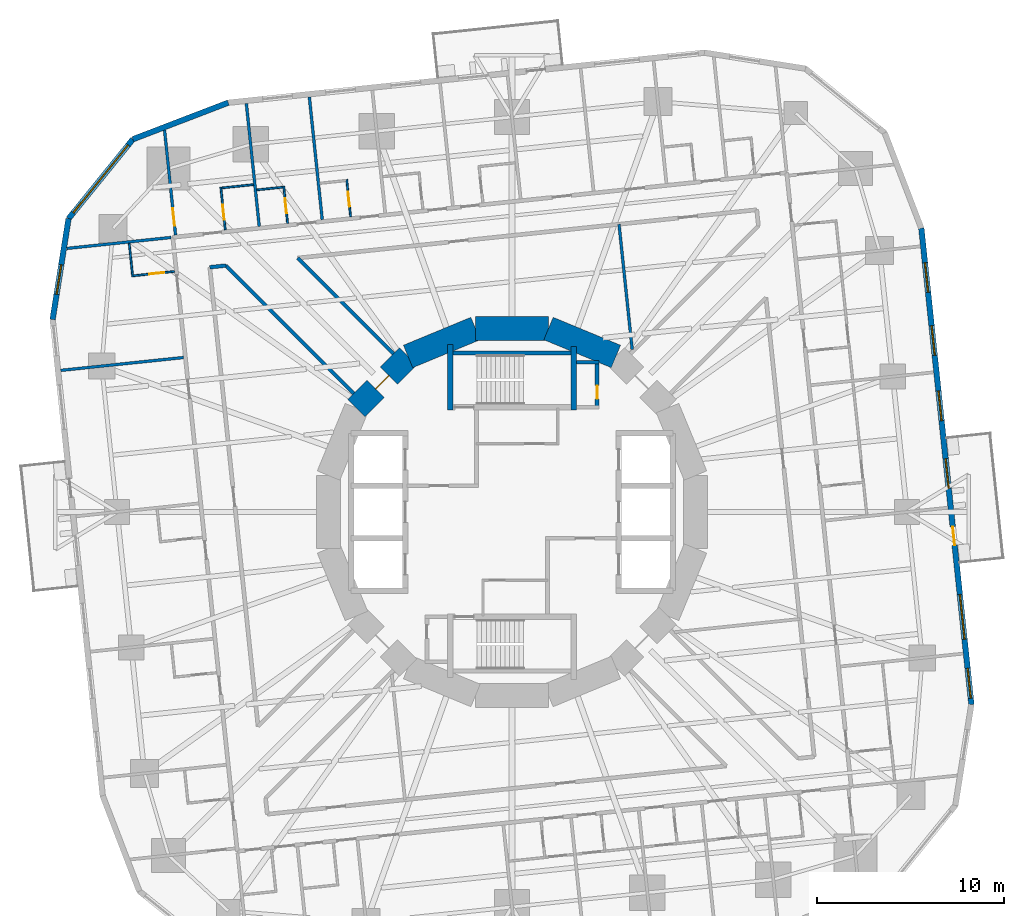
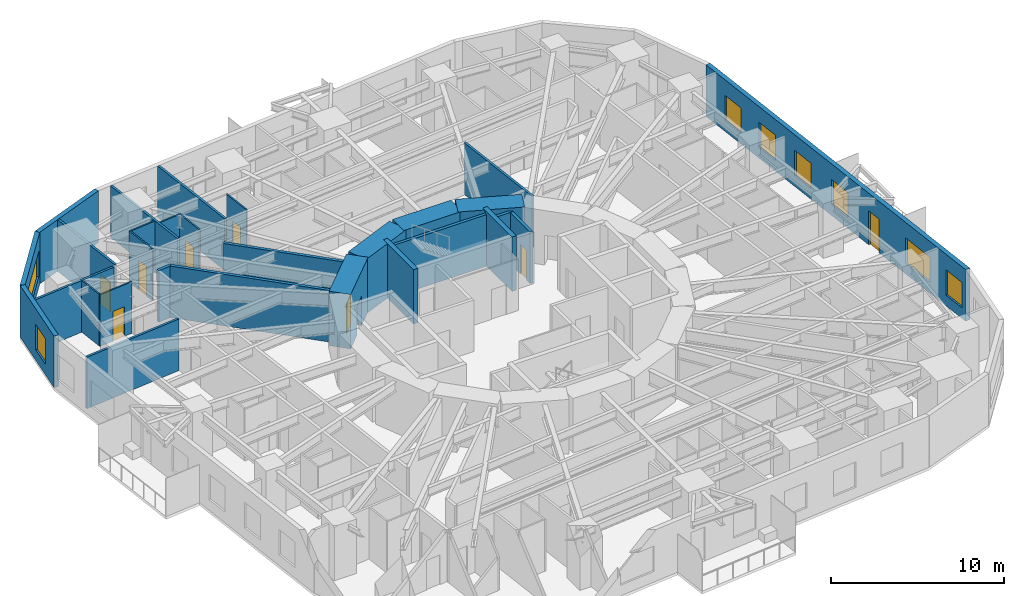
# One storey, part 9 of 13: 29 walls, 8 doors, 8 windows, 16 openings.
"""IFC4 building model written with IfcOpenShell, lengths in metres."""

from ifc_helpers import new_model, si_unit, direction, frame, frame_2d, origin, place, context, subcontext, project, spatial, rectangle, extrude, material, layer, layer_set, type_object, element, fill, save


model = new_model("IFC4")

# Units and contexts
model_context = context("Model", 3, precision=1e-05, world=origin(), true_north=direction((0.0, 1.0)))
body_context = subcontext(model_context, "Body", "Model", "MODEL_VIEW")
ifc_project = project(units=[si_unit("LENGTHUNIT", "METRE"), si_unit("AREAUNIT", "SQUARE_METRE"), si_unit("VOLUMEUNIT", "CUBIC_METRE"), si_unit("PLANEANGLEUNIT", "RADIAN"), si_unit("MASSUNIT", "GRAM", prefix="KILO")], contexts=[model_context])

# Site, building, storey
site_placement = place(None, origin())
site = spatial("IfcSite", under=ifc_project, at=site_placement, CompositionType="ELEMENT")
building_placement = place(site_placement, origin())
building = spatial("IfcBuilding", under=site, at=building_placement, Name="Nakasero Lantern House", CompositionType="ELEMENT")
storey_placement = place(building_placement, frame((0.0, 0.0, 79.75)))
storey = spatial("IfcBuildingStorey", under=building, at=storey_placement, Name="L19", CompositionType="ELEMENT", Elevation=79.75)

# Walls
ifc_material_1 = material(Name="Concrete C50/60", Category="concrete")
ifc_layer_1 = layer(ifc_material_1, 0.300048828125)
ifc_layer_set_1 = layer_set([ifc_layer_1], Name="Core inner wall 300")
wall_type_1 = type_object("IfcWallType", Name="Core inner wall 300", PredefinedType="SHEAR", material=ifc_layer_set_1)
wall_1_placement = place(storey_placement, frame((-3.300048828125, 5.449951171875, 0.0), z_axis=(0.0, 0.0, 1.0), x_axis=(0.0, 1.0, 0.0)))
element("IfcWall", 1, at=wall_1_placement, inside=storey, type_object=wall_type_1, Name="Core inner wall L19 SNW", PredefinedType="SHEAR", context=body_context, shape_type="SweptSolid", body=[
    extrude(rectangle(XDim=3.5, YDim=0.300048828125, at=frame_2d((1.75, 0.0))), origin(), (0.0, 0.0, 1.0), 3.85009765625),
])
wall_2_placement = place(storey_placement, frame((3.300048828125, 5.449951171875, 0.0), z_axis=(0.0, 0.0, 1.0), x_axis=(0.0, 1.0, 0.0)))
element("IfcWall", 2, at=wall_2_placement, inside=storey, type_object=wall_type_1, Name="Core inner wall L19 SNE", PredefinedType="SHEAR", context=body_context, shape_type="SweptSolid", body=[
    extrude(rectangle(XDim=3.400146484375, YDim=0.300048828125, at=frame_2d((1.7001953125, 0.0))), origin(), (0.0, 0.0, 1.0), 3.85009765625),
])
ifc_material_2 = material(Name="Concrete C50/60", Category="concrete")
ifc_layer_2 = layer(ifc_material_2, 1.300048828125)
ifc_layer_set_2 = layer_set([ifc_layer_2], Name="Core wall 1300")
wall_type_2 = type_object("IfcWallType", Name="Core wall 1300", PredefinedType="SHEAR", material=ifc_layer_set_2)
for number, where, z_axis, x_axis, name in (
    (3, (5.5556640625, 8.314697265625, 0.0), (0.0, 0.0, 1.0), (-0.923876507187, 0.382690736062, 0.0), "Core wall L19 facet 3"),
    (4, (1.950927734375, 9.807861328125, 0.0), (0.0, 0.0, 1.0), (-1.0, 0.0, 0.0), "Core wall L19 facet 4"),
    (5, (-1.950927734375, 9.807861328125, 0.0), (0.0, 0.0, 1.0), (-0.923876507187, -0.382690736062, 0.0), "Core wall L19 facet 5"),
):
    element("IfcWall", number, at=place(storey_placement, frame(where, z_axis=z_axis, x_axis=x_axis)), inside=storey, type_object=wall_type_2, Name=name, PredefinedType="SHEAR", context=body_context, shape_type="SweptSolid", body=[
        extrude(rectangle(XDim=3.90185546875, YDim=1.300048828125, at=frame_2d((1.950927734375, 0.0))), origin(), (0.0, 0.0, 1.0), 3.85009765625),
    ])

# Wall, opening, door
wall_3_placement = place(storey_placement, frame((-5.5556640625, 8.314697265625, 0.0), z_axis=(0.0, 0.0, 1.0), x_axis=(-0.707106781187, -0.707106781187, 0.0)))
wall_3 = element("IfcWall", 6, at=wall_3_placement, inside=storey, type_object=wall_type_2, Name="Core wall L19 facet 6", PredefinedType="SHEAR", context=body_context, shape_type="SweptSolid", body=[
    extrude(rectangle(XDim=3.90185546875, YDim=1.300048828125, at=frame_2d((1.950927734375, 0.0))), origin(), (0.0, 0.0, 1.0), 3.85009765625),
])
opening_1_placement = place(wall_3_placement, frame((1.450927734375, 0.0, 0.0)))
opening_1 = element("IfcOpeningElement", 7, at=opening_1_placement, cuts=wall_3, Name="Opening D05", PredefinedType="OPENING", context=body_context, shape_type="SweptSolid", body=[
    extrude(rectangle(XDim=1.0, YDim=2.10009765625, at=frame_2d((0.5, 1.050048828125))), frame((0.0, 0.669921875, 0.0), z_axis=(0.0, -1.0, 0.0), x_axis=(1.0, 0.0, 0.0)), (0.0, 0.0, 1.0), 1.340087890625),
])
ifc_material_3 = material(Name="Timber C24", Category="wood")
door_type_1 = type_object("IfcDoorType", Name="Core door FD60S 1000", OperationType="SINGLE_SWING_LEFT", PredefinedType="DOOR", material=ifc_material_3)
door_1_placement = place(opening_1_placement, origin())
door_1 = element("IfcDoor", 8, at=door_1_placement, inside=storey, type_object=door_type_1, Name="Door L19 D-CORE06", OperationType="SINGLE_SWING_LEFT", OverallHeight=2.10009765625, OverallWidth=1.0, PredefinedType="DOOR", context=body_context, shape_type="SweptSolid", body=[
    extrude(rectangle(XDim=1.0, YDim=2.10009765625, at=frame_2d((0.5, 1.050048828125))), frame((0.0, 0.02490234375, 0.0), z_axis=(0.0, -1.0, 0.0), x_axis=(1.0, 0.0, 0.0)), (0.0, 0.0, 1.0), 0.050048828125),
])
fill(opening_1, door_1)

# Walls
ifc_material_4 = material(Name="Blockwork", Category="masonry")
ifc_layer_3 = layer(ifc_material_4, 0.199951171875)
ifc_layer_set_3 = layer_set([ifc_layer_3], Name="Corridor wall 200")
wall_type_3 = type_object("IfcWallType", Name="Corridor wall 200", PredefinedType="PARTITIONING", material=ifc_layer_set_3)
wall_4_placement = place(storey_placement, frame((-8.45556640625, 6.334228515625, 0.0), z_axis=(0.0, 0.0, 1.0), x_axis=(-0.707106781187, 0.707106781187, 0.0)))
element("IfcWall", 9, at=wall_4_placement, inside=storey, type_object=wall_type_3, Name="Corridor wall L19 PS06a", PredefinedType="PARTITIONING", context=body_context, shape_type="SweptSolid", body=[
    extrude(rectangle(XDim=9.671875, YDim=0.199951171875, at=frame_2d((4.8359375, 0.0))), origin(), (0.0, 0.0, 1.0), 3.64990234375),
])
wall_5_placement = place(storey_placement, frame((-6.334228515625, 8.45556640625, 0.0), z_axis=(0.0, 0.0, 1.0), x_axis=(-0.707106781187, 0.707106781187, 0.0)))
element("IfcWall", 10, at=wall_5_placement, inside=storey, type_object=wall_type_3, Name="Corridor wall L19 PS06b", PredefinedType="PARTITIONING", context=body_context, shape_type="SweptSolid", body=[
    extrude(rectangle(XDim=7.24267578125, YDim=0.199951171875, at=frame_2d((3.621337890625, 0.0))), origin(), (0.0, 0.0, 1.0), 3.64990234375),
])
wall_6_placement = place(storey_placement, frame((-16.156005859375, 13.0830078125, 0.0), z_axis=(0.0, 0.0, 1.0), x_axis=(0.994545540927, 0.104303245505, 0.0)))
element("IfcWall", 11, at=wall_6_placement, inside=storey, type_object=wall_type_3, Name="Corridor wall L19 IW2-0R0", PredefinedType="PARTITIONING", context=body_context, shape_type="SweptSolid", body=[
    extrude(rectangle(XDim=0.865966796875, YDim=0.199951171875, at=frame_2d((0.43310546875, 0.0))), origin(), (0.0, 0.0, 1.0), 3.64990234375),
])

# Wall, opening, door
ifc_material_5 = material(Name="Blockwork", Category="masonry")
ifc_layer_4 = layer(ifc_material_5, 0.10009765625)
ifc_layer_set_4 = layer_set([ifc_layer_4], Name="En-suite wall 100")
wall_type_4 = type_object("IfcWallType", Name="En-suite wall 100", PredefinedType="PARTITIONING", material=ifc_layer_set_4)
wall_7_placement = place(storey_placement, frame((-8.627685546875, 15.78466796875, 0.0), z_axis=(0.0, 0.0, 1.0), x_axis=(-0.104614886044, 0.994512808172, 0.0)))
wall_7 = element("IfcWall", 12, at=wall_7_placement, inside=storey, type_object=wall_type_4, Name="En-suite wall L19 ES1-06", PredefinedType="PARTITIONING", context=body_context, shape_type="SweptSolid", body=[
    extrude(rectangle(XDim=2.0, YDim=0.10009765625, at=frame_2d((1.0, 0.0))), origin(), (0.0, 0.0, 1.0), 3.64990234375),
])
opening_2_placement = place(wall_7_placement, frame((0.550048828125, 0.0, 0.0)))
opening_2 = element("IfcOpeningElement", 13, at=opening_2_placement, cuts=wall_7, Name="Opening D02", PredefinedType="OPENING", context=body_context, shape_type="SweptSolid", body=[
    extrude(rectangle(XDim=0.800048828125, YDim=2.10009765625, at=frame_2d((0.39990234375, 1.050048828125))), frame((0.0, 0.070068359375, 0.0), z_axis=(0.0, -1.0, 0.0), x_axis=(1.0, 0.0, 0.0)), (0.0, 0.0, 1.0), 0.14013671875),
])
ifc_material_6 = material(Name="Timber C24", Category="wood")
door_type_2 = type_object("IfcDoorType", Name="En-suite door 800", OperationType="SINGLE_SWING_RIGHT", PredefinedType="DOOR", material=ifc_material_6)
door_2_placement = place(opening_2_placement, origin())
door_2 = element("IfcDoor", 14, at=door_2_placement, inside=storey, type_object=door_type_2, Name="Door L19 DE1-06", OperationType="SINGLE_SWING_LEFT", OverallHeight=2.10009765625, OverallWidth=0.800048828125, PredefinedType="DOOR", context=body_context, shape_type="SweptSolid", body=[
    extrude(rectangle(XDim=0.800048828125, YDim=2.10009765625, at=frame_2d((0.39990234375, 1.050048828125))), frame((0.0, 0.02490234375, 0.0), z_axis=(0.0, -1.0, 0.0), x_axis=(1.0, 0.0, 0.0)), (0.0, 0.0, 1.0), 0.050048828125),
])
fill(opening_2, door_2)

wall_8_placement = place(storey_placement, frame((-11.994873046875, 15.4306640625, 0.0), z_axis=(0.0, 0.0, 1.0), x_axis=(-0.104494148666, 0.99452550138, 0.0)))
wall_8 = element("IfcWall", 15, at=wall_8_placement, inside=storey, type_object=wall_type_4, Name="En-suite wall L19 ES1-07", PredefinedType="PARTITIONING", context=body_context, shape_type="SweptSolid", body=[
    extrude(rectangle(XDim=2.0, YDim=0.10009765625, at=frame_2d((1.0, 0.0))), origin(), (0.0, 0.0, 1.0), 3.64990234375),
])
opening_3_placement = place(wall_8_placement, frame((0.550048828125, 0.0, 0.0)))
opening_3 = element("IfcOpeningElement", 16, at=opening_3_placement, cuts=wall_8, Name="Opening D02", PredefinedType="OPENING", context=body_context, shape_type="SweptSolid", body=[
    extrude(rectangle(XDim=0.800048828125, YDim=2.10009765625, at=frame_2d((0.39990234375, 1.050048828125))), frame((0.0, 0.070068359375, 0.0), z_axis=(0.0, -1.0, 0.0), x_axis=(1.0, 0.0, 0.0)), (0.0, 0.0, 1.0), 0.14013671875),
])
door_3_placement = place(opening_3_placement, origin())
door_3 = element("IfcDoor", 17, at=door_3_placement, inside=storey, type_object=door_type_2, Name="Door L19 DE1-07", OperationType="SINGLE_SWING_LEFT", OverallHeight=2.10009765625, OverallWidth=0.800048828125, PredefinedType="DOOR", context=body_context, shape_type="SweptSolid", body=[
    extrude(rectangle(XDim=0.800048828125, YDim=2.10009765625, at=frame_2d((0.39990234375, 1.050048828125))), frame((0.0, 0.02490234375, 0.0), z_axis=(0.0, -1.0, 0.0), x_axis=(1.0, 0.0, 0.0)), (0.0, 0.0, 1.0), 0.050048828125),
])
fill(opening_3, door_3)

# Wall
wall_9_placement = place(storey_placement, frame((-12.248291015625, 17.36474609375, 0.0), z_axis=(0.0, 0.0, 1.0), x_axis=(-0.994529315664, -0.104457839748, 0.0)))
element("IfcWall", 18, at=wall_9_placement, inside=storey, type_object=wall_type_4, Name="En-suite wall L19 EE1-07", PredefinedType="PARTITIONING", context=body_context, shape_type="SweptSolid", body=[
    extrude(rectangle(XDim=1.39990234375, YDim=0.10009765625, at=frame_2d((0.699951171875, 0.0))), origin(), (0.0, 0.0, 1.0), 3.64990234375),
])

# Wall, opening, door
wall_10_placement = place(storey_placement, frame((-15.326416015625, 15.08056640625, 0.0), z_axis=(0.0, 0.0, 1.0), x_axis=(-0.104557694553, 0.994518822602, 0.0)))
wall_10 = element("IfcWall", 19, at=wall_10_placement, inside=storey, type_object=wall_type_4, Name="En-suite wall L19 ES1-08", PredefinedType="PARTITIONING", context=body_context, shape_type="SweptSolid", body=[
    extrude(rectangle(XDim=2.300048828125, YDim=0.10009765625, at=frame_2d((1.14990234375, 0.0))), origin(), (0.0, 0.0, 1.0), 3.64990234375),
])
opening_4_placement = place(wall_10_placement, frame((0.550048828125, 0.0, 0.0)))
opening_4 = element("IfcOpeningElement", 20, at=opening_4_placement, cuts=wall_10, Name="Opening D02", PredefinedType="OPENING", context=body_context, shape_type="SweptSolid", body=[
    extrude(rectangle(XDim=0.800048828125, YDim=2.10009765625, at=frame_2d((0.39990234375, 1.050048828125))), frame((0.0, 0.070068359375, 0.0), z_axis=(0.0, -1.0, 0.0), x_axis=(1.0, 0.0, 0.0)), (0.0, 0.0, 1.0), 0.14013671875),
])
door_4_placement = place(opening_4_placement, origin())
door_4 = element("IfcDoor", 21, at=door_4_placement, inside=storey, type_object=door_type_2, Name="Door L19 DE1-08", OperationType="SINGLE_SWING_LEFT", OverallHeight=2.10009765625, OverallWidth=0.800048828125, PredefinedType="DOOR", context=body_context, shape_type="SweptSolid", body=[
    extrude(rectangle(XDim=0.800048828125, YDim=2.10009765625, at=frame_2d((0.39990234375, 1.050048828125))), frame((0.0, 0.02490234375, 0.0), z_axis=(0.0, -1.0, 0.0), x_axis=(1.0, 0.0, 0.0)), (0.0, 0.0, 1.0), 0.050048828125),
])
fill(opening_4, door_4)

# Wall
wall_11_placement = place(storey_placement, frame((-13.8212890625, 17.501220703125, 0.0), z_axis=(0.0, 0.0, 1.0), x_axis=(-0.994519608382, -0.104550220202, 0.0)))
element("IfcWall", 22, at=wall_11_placement, inside=storey, type_object=wall_type_4, Name="En-suite wall L19 EE1-08", PredefinedType="PARTITIONING", context=body_context, shape_type="SweptSolid", body=[
    extrude(rectangle(XDim=1.699951171875, YDim=0.10009765625, at=frame_2d((0.85009765625, 0.0))), origin(), (0.0, 0.0, 1.0), 3.64990234375),
])

# Wall, opening, door
wall_12_placement = place(storey_placement, frame((-18.04296875, 12.859375, 0.0), z_axis=(0.0, 0.0, 1.0), x_axis=(-0.994529855142, -0.104452703326, 0.0)))
wall_12 = element("IfcWall", 23, at=wall_12_placement, inside=storey, type_object=wall_type_4, Name="En-suite wall L19 ES2-00", PredefinedType="PARTITIONING", context=body_context, shape_type="SweptSolid", body=[
    extrude(rectangle(XDim=2.300048828125, YDim=0.10009765625, at=frame_2d((1.14990234375, 0.0))), origin(), (0.0, 0.0, 1.0), 3.64990234375),
])
opening_5_placement = place(wall_12_placement, frame((0.550048828125, 0.0, 0.0)))
opening_5 = element("IfcOpeningElement", 24, at=opening_5_placement, cuts=wall_12, Name="Opening D02", PredefinedType="OPENING", context=body_context, shape_type="SweptSolid", body=[
    extrude(rectangle(XDim=0.800048828125, YDim=2.10009765625, at=frame_2d((0.39990234375, 1.050048828125))), frame((0.0, 0.070068359375, 0.0), z_axis=(0.0, -1.0, 0.0), x_axis=(1.0, 0.0, 0.0)), (0.0, 0.0, 1.0), 0.14013671875),
])
door_5_placement = place(opening_5_placement, origin())
door_5 = element("IfcDoor", 25, at=door_5_placement, inside=storey, type_object=door_type_2, Name="Door L19 DE2-00", OperationType="SINGLE_SWING_LEFT", OverallHeight=2.10009765625, OverallWidth=0.800048828125, PredefinedType="DOOR", context=body_context, shape_type="SweptSolid", body=[
    extrude(rectangle(XDim=0.800048828125, YDim=2.10009765625, at=frame_2d((0.39990234375, 1.050048828125))), frame((0.0, 0.02490234375, 0.0), z_axis=(0.0, -1.0, 0.0), x_axis=(1.0, 0.0, 0.0)), (0.0, 0.0, 1.0), 0.050048828125),
])
fill(opening_5, door_5)

# Wall
wall_13_placement = place(storey_placement, frame((-20.463623046875, 14.36474609375, 0.0), z_axis=(0.0, 0.0, 1.0), x_axis=(0.104550220202, -0.994519608382, 0.0)))
element("IfcWall", 26, at=wall_13_placement, inside=storey, type_object=wall_type_4, Name="En-suite wall L19 EE2-00", PredefinedType="PARTITIONING", context=body_context, shape_type="SweptSolid", body=[
    extrude(rectangle(XDim=1.699951171875, YDim=0.10009765625, at=frame_2d((0.85009765625, 0.0))), origin(), (0.0, 0.0, 1.0), 3.64990234375),
])

# Wall, openings, door, windows
ifc_material_7 = material(Name="Aluminium rainscreen on blockwork", Category="masonry")
ifc_layer_5 = layer(ifc_material_7, 0.300048828125)
ifc_layer_set_5 = layer_set([ifc_layer_5], Name="Facade wall 300")
wall_type_5 = type_object("IfcWallType", Name="Facade wall 300", PredefinedType="SOLIDWALL", material=ifc_layer_set_5)
wall_14_placement = place(storey_placement, frame((24.56005859375, -10.2890625, 0.0), z_axis=(0.0, 0.0, 1.0), x_axis=(-0.104532378096, 0.994521483895, 0.0)))
wall_14 = element("IfcWall", 27, at=wall_14_placement, inside=storey, type_object=wall_type_5, Name="Facade wall L19 FW0S", PredefinedType="SOLIDWALL", context=body_context, shape_type="SweptSolid", body=[
    extrude(rectangle(XDim=25.599853515625, YDim=0.300048828125, at=frame_2d((12.7998046875, 0.0))), origin(), (0.0, 0.0, 1.0), 3.64990234375),
])
opening_6_placement = place(wall_14_placement, frame((0.337890625, 0.0, 0.75)))
opening_6 = element("IfcOpeningElement", 28, at=opening_6_placement, cuts=wall_14, Name="Opening W01", PredefinedType="OPENING", context=body_context, shape_type="SweptSolid", body=[
    extrude(rectangle(XDim=1.60009765625, YDim=1.800048828125, at=frame_2d((0.800048828125, 0.89990234375))), frame((0.0, 0.169921875, 0.0), z_axis=(0.0, -1.0, 0.0), x_axis=(1.0, 0.0, 0.0)), (0.0, 0.0, 1.0), 0.340087890625),
])
opening_7_placement = place(wall_14_placement, frame((11.612060546875, 0.0, 0.75)))
opening_7 = element("IfcOpeningElement", 29, at=opening_7_placement, cuts=wall_14, Name="Opening W01", PredefinedType="OPENING", context=body_context, shape_type="SweptSolid", body=[
    extrude(rectangle(XDim=1.60009765625, YDim=1.800048828125, at=frame_2d((0.800048828125, 0.89990234375))), frame((0.0, 0.169921875, 0.0), z_axis=(0.0, -1.0, 0.0), x_axis=(1.0, 0.0, 0.0)), (0.0, 0.0, 1.0), 0.340087890625),
])
opening_8_placement = place(wall_14_placement, frame((15.250732421875, 0.0, 0.75)))
opening_8 = element("IfcOpeningElement", 30, at=opening_8_placement, cuts=wall_14, Name="Opening W01", PredefinedType="OPENING", context=body_context, shape_type="SweptSolid", body=[
    extrude(rectangle(XDim=1.60009765625, YDim=1.800048828125, at=frame_2d((0.800048828125, 0.89990234375))), frame((0.0, 0.169921875, 0.0), z_axis=(0.0, -1.0, 0.0), x_axis=(1.0, 0.0, 0.0)), (0.0, 0.0, 1.0), 0.340087890625),
])
opening_9_placement = place(wall_14_placement, frame((18.7626953125, 0.0, 0.75)))
opening_9 = element("IfcOpeningElement", 31, at=opening_9_placement, cuts=wall_14, Name="Opening W01", PredefinedType="OPENING", context=body_context, shape_type="SweptSolid", body=[
    extrude(rectangle(XDim=1.60009765625, YDim=1.800048828125, at=frame_2d((0.800048828125, 0.89990234375))), frame((0.0, 0.169921875, 0.0), z_axis=(0.0, -1.0, 0.0), x_axis=(1.0, 0.0, 0.0)), (0.0, 0.0, 1.0), 0.340087890625),
])
opening_10_placement = place(wall_14_placement, frame((22.1484375, 0.0, 0.75)))
opening_10 = element("IfcOpeningElement", 32, at=opening_10_placement, cuts=wall_14, Name="Opening W01", PredefinedType="OPENING", context=body_context, shape_type="SweptSolid", body=[
    extrude(rectangle(XDim=1.60009765625, YDim=1.800048828125, at=frame_2d((0.800048828125, 0.89990234375))), frame((0.0, 0.169921875, 0.0), z_axis=(0.0, -1.0, 0.0), x_axis=(1.0, 0.0, 0.0)), (0.0, 0.0, 1.0), 0.340087890625),
])
opening_11_placement = place(wall_14_placement, frame((3.51123046875, 0.0, 0.75)))
opening_11 = element("IfcOpeningElement", 33, at=opening_11_placement, cuts=wall_14, Name="Opening W03", PredefinedType="OPENING", context=body_context, shape_type="SweptSolid", body=[
    extrude(rectangle(XDim=2.39990234375, YDim=1.800048828125, at=frame_2d((1.199951171875, 0.89990234375))), frame((0.0, 0.169921875, 0.0), z_axis=(0.0, -1.0, 0.0), x_axis=(1.0, 0.0, 0.0)), (0.0, 0.0, 1.0), 0.340087890625),
])
opening_12_placement = place(wall_14_placement, frame((8.558837890625, 0.0, 0.0)))
opening_12 = element("IfcOpeningElement", 34, at=opening_12_placement, cuts=wall_14, Name="Opening D04", PredefinedType="OPENING", context=body_context, shape_type="SweptSolid", body=[
    extrude(rectangle(XDim=1.0, YDim=2.39990234375, at=frame_2d((0.5, 1.199951171875))), frame((0.0, 0.169921875, 0.0), z_axis=(0.0, -1.0, 0.0), x_axis=(1.0, 0.0, 0.0)), (0.0, 0.0, 1.0), 0.340087890625),
])
ifc_material_8 = material(Name="Aluminium 6063-T6 and glass", Category="aluminium")
door_type_3 = type_object("IfcDoorType", Name="Balcony door 1000x2400", OperationType="SINGLE_SWING_RIGHT", PredefinedType="DOOR", material=ifc_material_8)
door_6_placement = place(opening_12_placement, origin())
door_6 = element("IfcDoor", 35, at=door_6_placement, inside=storey, type_object=door_type_3, Name="Balcony door L19 DB0", OperationType="SINGLE_SWING_RIGHT", OverallHeight=2.39990234375, OverallWidth=1.0, PredefinedType="DOOR", context=body_context, shape_type="SweptSolid", body=[
    extrude(rectangle(XDim=1.0, YDim=2.39990234375, at=frame_2d((0.5, 1.199951171875))), frame((0.0, 0.02490234375, 0.0), z_axis=(0.0, -1.0, 0.0), x_axis=(1.0, 0.0, 0.0)), (0.0, 0.0, 1.0), 0.050048828125),
])
fill(opening_12, door_6)
ifc_material_9 = material(Name="Aluminium 6063-T6 and glass", Category="aluminium")
window_type_1 = type_object("IfcWindowType", Name="Bedroom window 1600x1800", PartitioningType="SINGLE_PANEL", PredefinedType="WINDOW", material=ifc_material_9)
window_1_placement = place(opening_6_placement, origin())
window_1 = element("IfcWindow", 36, at=window_1_placement, inside=storey, type_object=window_type_1, Name="Window L19 WN0-01", OverallHeight=1.800048828125, OverallWidth=1.60009765625, PartitioningType="SINGLE_PANEL", PredefinedType="WINDOW", context=body_context, shape_type="SweptSolid", body=[
    extrude(rectangle(XDim=1.60009765625, YDim=1.800048828125, at=frame_2d((0.800048828125, 0.89990234375))), frame((0.0, 0.030029296875, 0.0), z_axis=(0.0, -1.0, 0.0), x_axis=(1.0, 0.0, 0.0)), (0.0, 0.0, 1.0), 0.06005859375),
])
fill(opening_6, window_1)
window_2_placement = place(opening_7_placement, origin())
window_2 = element("IfcWindow", 37, at=window_2_placement, inside=storey, type_object=window_type_1, Name="Window L19 WN0-04", OverallHeight=1.800048828125, OverallWidth=1.60009765625, PartitioningType="SINGLE_PANEL", PredefinedType="WINDOW", context=body_context, shape_type="SweptSolid", body=[
    extrude(rectangle(XDim=1.60009765625, YDim=1.800048828125, at=frame_2d((0.800048828125, 0.89990234375))), frame((0.0, 0.030029296875, 0.0), z_axis=(0.0, -1.0, 0.0), x_axis=(1.0, 0.0, 0.0)), (0.0, 0.0, 1.0), 0.06005859375),
])
fill(opening_7, window_2)
window_3_placement = place(opening_8_placement, origin())
window_3 = element("IfcWindow", 38, at=window_3_placement, inside=storey, type_object=window_type_1, Name="Window L19 WN0-05", OverallHeight=1.800048828125, OverallWidth=1.60009765625, PartitioningType="SINGLE_PANEL", PredefinedType="WINDOW", context=body_context, shape_type="SweptSolid", body=[
    extrude(rectangle(XDim=1.60009765625, YDim=1.800048828125, at=frame_2d((0.800048828125, 0.89990234375))), frame((0.0, 0.030029296875, 0.0), z_axis=(0.0, -1.0, 0.0), x_axis=(1.0, 0.0, 0.0)), (0.0, 0.0, 1.0), 0.06005859375),
])
fill(opening_8, window_3)
window_4_placement = place(opening_9_placement, origin())
window_4 = element("IfcWindow", 39, at=window_4_placement, inside=storey, type_object=window_type_1, Name="Window L19 WN0-06", OverallHeight=1.800048828125, OverallWidth=1.60009765625, PartitioningType="SINGLE_PANEL", PredefinedType="WINDOW", context=body_context, shape_type="SweptSolid", body=[
    extrude(rectangle(XDim=1.60009765625, YDim=1.800048828125, at=frame_2d((0.800048828125, 0.89990234375))), frame((0.0, 0.030029296875, 0.0), z_axis=(0.0, -1.0, 0.0), x_axis=(1.0, 0.0, 0.0)), (0.0, 0.0, 1.0), 0.06005859375),
])
fill(opening_9, window_4)
window_5_placement = place(opening_10_placement, origin())
window_5 = element("IfcWindow", 40, at=window_5_placement, inside=storey, type_object=window_type_1, Name="Window L19 WN0-07", OverallHeight=1.800048828125, OverallWidth=1.60009765625, PartitioningType="SINGLE_PANEL", PredefinedType="WINDOW", context=body_context, shape_type="SweptSolid", body=[
    extrude(rectangle(XDim=1.60009765625, YDim=1.800048828125, at=frame_2d((0.800048828125, 0.89990234375))), frame((0.0, 0.030029296875, 0.0), z_axis=(0.0, -1.0, 0.0), x_axis=(1.0, 0.0, 0.0)), (0.0, 0.0, 1.0), 0.06005859375),
])
fill(opening_10, window_5)
ifc_material_10 = material(Name="Aluminium 6063-T6 and glass", Category="aluminium")
window_type_2 = type_object("IfcWindowType", Name="Lounge window 2400x1800", PartitioningType="SINGLE_PANEL", PredefinedType="WINDOW", material=ifc_material_10)
window_6_placement = place(opening_11_placement, origin())
window_6 = element("IfcWindow", 41, at=window_6_placement, inside=storey, type_object=window_type_2, Name="Window L19 WK0", OverallHeight=1.800048828125, OverallWidth=2.39990234375, PartitioningType="SINGLE_PANEL", PredefinedType="WINDOW", context=body_context, shape_type="SweptSolid", body=[
    extrude(rectangle(XDim=2.39990234375, YDim=1.800048828125, at=frame_2d((1.199951171875, 0.89990234375))), frame((0.0, 0.030029296875, 0.0), z_axis=(0.0, -1.0, 0.0), x_axis=(1.0, 0.0, 0.0)), (0.0, 0.0, 1.0), 0.06005859375),
])
fill(opening_11, window_6)

# Wall
wall_15_placement = place(storey_placement, frame((-15.170654296875, 21.884033203125, 0.0), z_axis=(0.0, 0.0, 1.0), x_axis=(-0.933583906079, -0.358358884793, 0.0)))
element("IfcWall", 42, at=wall_15_placement, inside=storey, type_object=wall_type_5, Name="Facade wall L19 FW1C1", PredefinedType="SOLIDWALL", context=body_context, shape_type="SweptSolid", body=[
    extrude(rectangle(XDim=5.461181640625, YDim=0.300048828125, at=frame_2d((2.73046875, 0.0))), origin(), (0.0, 0.0, 1.0), 3.64990234375),
])

# Wall, opening, window
wall_16_placement = place(storey_placement, frame((-20.26904296875, 19.927001953125, 0.0), z_axis=(0.0, 0.0, 1.0), x_axis=(-0.629334543442, -0.777134500863, 0.0)))
wall_16 = element("IfcWall", 43, at=wall_16_placement, inside=storey, type_object=wall_type_5, Name="Facade wall L19 FW1C2", PredefinedType="SOLIDWALL", context=body_context, shape_type="SweptSolid", body=[
    extrude(rectangle(XDim=5.4609375, YDim=0.300048828125, at=frame_2d((2.73046875, 0.0))), origin(), (0.0, 0.0, 1.0), 3.64990234375),
])
opening_13_placement = place(wall_16_placement, frame((0.39990234375, 0.0, 0.75)))
opening_13 = element("IfcOpeningElement", 44, at=opening_13_placement, cuts=wall_16, Name="Opening W246", PredefinedType="OPENING", context=body_context, shape_type="SweptSolid", body=[
    extrude(rectangle(XDim=4.660888671875, YDim=1.800048828125, at=frame_2d((2.33056640625, 0.89990234375))), frame((0.0, 0.169921875, 0.0), z_axis=(0.0, -1.0, 0.0), x_axis=(1.0, 0.0, 0.0)), (0.0, 0.0, 1.0), 0.340087890625),
])
ifc_material_11 = material(Name="Aluminium 6063-T6 and glass", Category="aluminium")
window_type_3 = type_object("IfcWindowType", Name="Corner window 4661x1800", PartitioningType="SINGLE_PANEL", PredefinedType="WINDOW", material=ifc_material_11)
window_7_placement = place(opening_13_placement, origin())
window_7 = element("IfcWindow", 45, at=window_7_placement, inside=storey, type_object=window_type_3, Name="Window L19 WC1", OverallHeight=1.800048828125, OverallWidth=4.660888671875, PartitioningType="SINGLE_PANEL", PredefinedType="WINDOW", context=body_context, shape_type="SweptSolid", body=[
    extrude(rectangle(XDim=4.660888671875, YDim=1.800048828125, at=frame_2d((2.33056640625, 0.89990234375))), frame((0.0, 0.030029296875, 0.0), z_axis=(0.0, -1.0, 0.0), x_axis=(1.0, 0.0, 0.0)), (0.0, 0.0, 1.0), 0.06005859375),
])
fill(opening_13, window_7)

wall_17_placement = place(storey_placement, frame((-23.705810546875, 15.68310546875, 0.0), z_axis=(0.0, 0.0, 1.0), x_axis=(-0.156419383601, -0.987690729142, 0.0)))
wall_17 = element("IfcWall", 46, at=wall_17_placement, inside=storey, type_object=wall_type_5, Name="Facade wall L19 FW1C3", PredefinedType="SOLIDWALL", context=body_context, shape_type="SweptSolid", body=[
    extrude(rectangle(XDim=5.461181640625, YDim=0.300048828125, at=frame_2d((2.73046875, 0.0))), origin(), (0.0, 0.0, 1.0), 3.64990234375),
])
opening_14_placement = place(wall_17_placement, frame((2.5, 0.0, 0.75)))
opening_14 = element("IfcOpeningElement", 47, at=opening_14_placement, cuts=wall_17, Name="Opening W01", PredefinedType="OPENING", context=body_context, shape_type="SweptSolid", body=[
    extrude(rectangle(XDim=1.60009765625, YDim=1.800048828125, at=frame_2d((0.800048828125, 0.89990234375))), frame((0.0, 0.169921875, 0.0), z_axis=(0.0, -1.0, 0.0), x_axis=(1.0, 0.0, 0.0)), (0.0, 0.0, 1.0), 0.340087890625),
])
window_8_placement = place(opening_14_placement, origin())
window_8 = element("IfcWindow", 48, at=window_8_placement, inside=storey, type_object=window_type_1, Name="Window L19 WN2-00", OverallHeight=1.800048828125, OverallWidth=1.60009765625, PartitioningType="SINGLE_PANEL", PredefinedType="WINDOW", context=body_context, shape_type="SweptSolid", body=[
    extrude(rectangle(XDim=1.60009765625, YDim=1.800048828125, at=frame_2d((0.800048828125, 0.89990234375))), frame((0.0, 0.030029296875, 0.0), z_axis=(0.0, -1.0, 0.0), x_axis=(1.0, 0.0, 0.0)), (0.0, 0.0, 1.0), 0.06005859375),
])
fill(opening_14, window_8)

# Wall, opening, door
ifc_material_12 = material(Name="Blockwork", Category="masonry")
ifc_layer_6 = layer(ifc_material_12, 0.199951171875)
ifc_layer_set_6 = layer_set([ifc_layer_6], Name="Fire lobby wall 200")
wall_type_6 = type_object("IfcWallType", Name="Fire lobby wall 200", PredefinedType="PARTITIONING", material=ifc_layer_set_6)
wall_18_placement = place(storey_placement, frame((4.550048828125, 5.60009765625, 0.0), z_axis=(0.0, 0.0, 1.0), x_axis=(0.0, 1.0, 0.0)))
wall_18 = element("IfcWall", 49, at=wall_18_placement, inside=storey, type_object=wall_type_6, Name="Fire lobby wall L19 W-RS1E", PredefinedType="PARTITIONING", context=body_context, shape_type="SweptSolid", body=[
    extrude(rectangle(XDim=2.39990234375, YDim=0.199951171875, at=frame_2d((1.199951171875, 0.0))), origin(), (0.0, 0.0, 1.0), 3.64990234375),
])
opening_15_placement = place(wall_18_placement, frame((0.449951171875, 0.0, 0.0)))
opening_15 = element("IfcOpeningElement", 50, at=opening_15_placement, cuts=wall_18, Name="Opening D06", PredefinedType="OPENING", context=body_context, shape_type="SweptSolid", body=[
    extrude(rectangle(XDim=0.699951171875, YDim=2.10009765625, at=frame_2d((0.35009765625, 1.050048828125))), frame((0.0, 0.119873046875, 0.0), z_axis=(0.0, -1.0, 0.0), x_axis=(1.0, 0.0, 0.0)), (0.0, 0.0, 1.0), 0.239990234375),
])
ifc_material_13 = material(Name="Steel S355", Category="steel")
door_type_4 = type_object("IfcDoorType", Name="Riser door FD60 700", OperationType="SINGLE_SWING_LEFT", PredefinedType="DOOR", material=ifc_material_13)
door_7_placement = place(opening_15_placement, origin())
door_7 = element("IfcDoor", 51, at=door_7_placement, inside=storey, type_object=door_type_4, Name="Door L19 D-RS1", OperationType="SINGLE_SWING_LEFT", OverallHeight=2.10009765625, OverallWidth=0.699951171875, PredefinedType="DOOR", context=body_context, shape_type="SweptSolid", body=[
    extrude(rectangle(XDim=0.699951171875, YDim=2.10009765625, at=frame_2d((0.35009765625, 1.050048828125))), frame((0.0, 0.02490234375, 0.0), z_axis=(0.0, -1.0, 0.0), x_axis=(1.0, 0.0, 0.0)), (0.0, 0.0, 1.0), 0.050048828125),
])
fill(opening_15, door_7)

# Walls
wall_19_placement = place(storey_placement, frame((3.449951171875, 8.0, 0.0), z_axis=(0.0, 0.0, 1.0), x_axis=(1.0, 0.0, 0.0)))
element("IfcWall", 52, at=wall_19_placement, inside=storey, type_object=wall_type_6, Name="Fire lobby wall L19 W-RS1N", PredefinedType="PARTITIONING", context=body_context, shape_type="SweptSolid", body=[
    extrude(rectangle(XDim=1.199951171875, YDim=0.199951171875, at=frame_2d((0.60009765625, 0.0))), origin(), (0.0, 0.0, 1.0), 3.64990234375),
])
wall_20_placement = place(storey_placement, frame((-3.300048828125, 8.5, 0.0), z_axis=(0.0, 0.0, 1.0), x_axis=(1.0, 0.0, 0.0)))
element("IfcWall", 53, at=wall_20_placement, inside=storey, type_object=wall_type_6, Name="Fire lobby wall L19 W-STN", PredefinedType="PARTITIONING", context=body_context, shape_type="SweptSolid", body=[
    extrude(rectangle(XDim=6.60009765625, YDim=0.199951171875, at=frame_2d((3.300048828125, 0.0))), origin(), (0.0, 0.0, 1.0), 3.64990234375),
])
ifc_material_14 = material(Name="Blockwork", Category="masonry")
ifc_layer_7 = layer(ifc_material_14, 0.14990234375)
ifc_layer_set_7 = layer_set([ifc_layer_7], Name="Party wall 150")
wall_type_7 = type_object("IfcWallType", Name="Party wall 150", PredefinedType="PARTITIONING", material=ifc_layer_set_7)
wall_21_placement = place(storey_placement, frame((-10.14453125, 15.625244140625, 0.0), z_axis=(0.0, 0.0, 1.0), x_axis=(-0.104501850668, 0.994524692105, 0.0)))
element("IfcWall", 54, at=wall_21_placement, inside=storey, type_object=wall_type_7, Name="Party wall L19 PW1-07", PredefinedType="PARTITIONING", context=body_context, shape_type="SweptSolid", body=[
    extrude(rectangle(XDim=6.599853515625, YDim=0.14990234375, at=frame_2d((3.2998046875, 0.0))), origin(), (0.0, 0.0, 1.0), 3.64990234375),
])
wall_22_placement = place(storey_placement, frame((-13.511474609375, 15.271240234375, 0.0), z_axis=(0.0, 0.0, 1.0), x_axis=(-0.104534592565, 0.994521251134, 0.0)))
element("IfcWall", 55, at=wall_22_placement, inside=storey, type_object=wall_type_7, Name="Party wall L19 PW1-08", PredefinedType="PARTITIONING", context=body_context, shape_type="SweptSolid", body=[
    extrude(rectangle(XDim=6.60009765625, YDim=0.14990234375, at=frame_2d((3.300048828125, 0.0))), origin(), (0.0, 0.0, 1.0), 3.64990234375),
])

# Wall, opening, door
wall_23_placement = place(storey_placement, frame((-17.9853515625, 14.801025390625, 0.0), z_axis=(0.0, 0.0, 1.0), x_axis=(-0.104520320471, 0.994522751177, 0.0)))
wall_23 = element("IfcWall", 56, at=wall_23_placement, inside=storey, type_object=wall_type_7, Name="Party wall L19 PC1", PredefinedType="PARTITIONING", context=body_context, shape_type="SweptSolid", body=[
    extrude(rectangle(XDim=5.64111328125, YDim=0.14990234375, at=frame_2d((2.820556640625, 0.0))), origin(), (0.0, 0.0, 1.0), 3.64990234375),
])
opening_16_placement = place(wall_23_placement, frame((0.5, 0.0, 0.0)))
opening_16 = element("IfcOpeningElement", 57, at=opening_16_placement, cuts=wall_23, Name="Opening D01", PredefinedType="OPENING", context=body_context, shape_type="SweptSolid", body=[
    extrude(rectangle(XDim=0.949951171875, YDim=2.10009765625, at=frame_2d((0.47509765625, 1.050048828125))), frame((0.0, 0.094970703125, 0.0), z_axis=(0.0, -1.0, 0.0), x_axis=(1.0, 0.0, 0.0)), (0.0, 0.0, 1.0), 0.18994140625),
])
ifc_material_15 = material(Name="Timber C24", Category="wood")
door_type_5 = type_object("IfcDoorType", Name="Bedroom door FD30S 950", OperationType="SINGLE_SWING_LEFT", PredefinedType="DOOR", material=ifc_material_15)
door_8_placement = place(opening_16_placement, origin())
door_8 = element("IfcDoor", 58, at=door_8_placement, inside=storey, type_object=door_type_5, Name="Door L19 DC1", OperationType="SINGLE_SWING_LEFT", OverallHeight=2.10009765625, OverallWidth=0.949951171875, PredefinedType="DOOR", context=body_context, shape_type="SweptSolid", body=[
    extrude(rectangle(XDim=0.949951171875, YDim=2.10009765625, at=frame_2d((0.47509765625, 1.050048828125))), frame((0.0, 0.02490234375, 0.0), z_axis=(0.0, -1.0, 0.0), x_axis=(1.0, 0.0, 0.0)), (0.0, 0.0, 1.0), 0.050048828125),
])
fill(opening_16, door_8)

# Walls
wall_24_placement = place(storey_placement, frame((-18.23388671875, 14.674560546875, 0.0), z_axis=(0.0, 0.0, 1.0), x_axis=(-0.994520498284, -0.104541754786, 0.0)))
element("IfcWall", 59, at=wall_24_placement, inside=storey, type_object=wall_type_7, Name="Party wall L19 PW2-00", PredefinedType="PARTITIONING", context=body_context, shape_type="SweptSolid", body=[
    extrude(rectangle(XDim=5.597900390625, YDim=0.14990234375, at=frame_2d((2.798828125, 0.0))), origin(), (0.0, 0.0, 1.0), 3.64990234375),
])
wall_25_placement = place(storey_placement, frame((-17.5595703125, 8.25927734375, 0.0), z_axis=(0.0, 0.0, 1.0), x_axis=(-0.994520846901, -0.104538438287, 0.0)))
element("IfcWall", 60, at=wall_25_placement, inside=storey, type_object=wall_type_7, Name="Party wall L19 PW2-02", PredefinedType="PARTITIONING", context=body_context, shape_type="SweptSolid", body=[
    extrude(rectangle(XDim=6.599853515625, YDim=0.14990234375, at=frame_2d((3.2998046875, 0.0))), origin(), (0.0, 0.0, 1.0), 3.64990234375),
])
wall_26_placement = place(storey_placement, frame((6.425048828125, 8.687744140625, 0.0), z_axis=(0.0, 0.0, 1.0), x_axis=(-0.104526194871, 0.994522133784, 0.0)))
element("IfcWall", 61, at=wall_26_placement, inside=storey, type_object=wall_type_7, Name="Party wall L19 IS3", PredefinedType="PARTITIONING", context=body_context, shape_type="SweptSolid", body=[
    extrude(rectangle(XDim=6.7314453125, YDim=0.14990234375, at=frame_2d((3.36572265625, 0.0))), origin(), (0.0, 0.0, 1.0), 3.64990234375),
])

save(model, "model.ifc")
